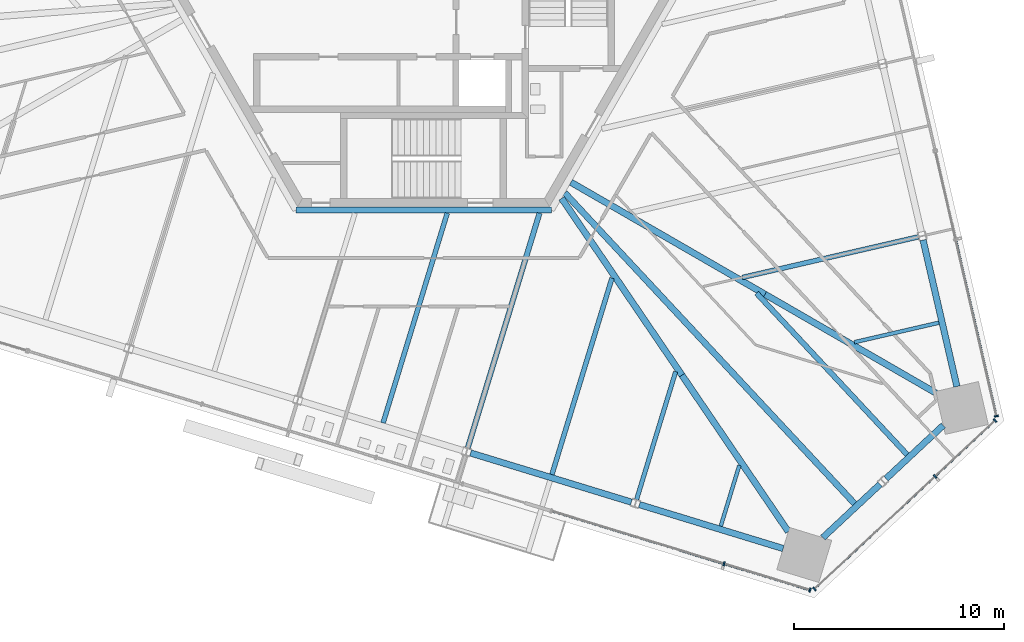
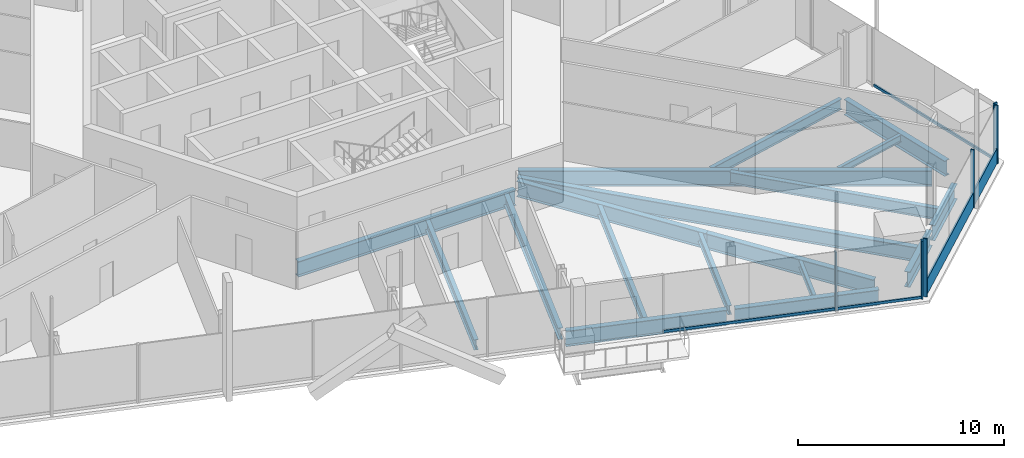
# One storey, part 6 of 24: 19 beams, 11 members, 3 elements without a shape of their own.
"""IFC4 building model written with IfcOpenShell, lengths in metres."""

from ifc_helpers import new_model, si_unit, direction, frame, origin, origin_2d, place, context, subcontext, project, spatial, rectangle, i_section, extrude, source, transform, mapped, material, material_profile, profile_set, type_object, element, aggregate, save


model = new_model("IFC4")

# Units and contexts
model_context = context("Model", 3, precision=1e-05, world=origin(), true_north=direction((0.0, 1.0)))
body_context = subcontext(model_context, "Body", "Model", "MODEL_VIEW")
ifc_project = project(units=[si_unit("LENGTHUNIT", "METRE"), si_unit("AREAUNIT", "SQUARE_METRE"), si_unit("VOLUMEUNIT", "CUBIC_METRE"), si_unit("PLANEANGLEUNIT", "RADIAN"), si_unit("MASSUNIT", "GRAM", prefix="KILO")], contexts=[model_context])

# Site, building, storey
site_placement = place(None, origin())
site = spatial("IfcSite", under=ifc_project, at=site_placement, CompositionType="ELEMENT")
building_placement = place(site_placement, origin())
building = spatial("IfcBuilding", under=site, at=building_placement, Name="Triune Harvest Tower", CompositionType="ELEMENT")
storey_placement = place(building_placement, frame((0.0, 0.0, 112.699951171875)))
storey = spatial("IfcBuildingStorey", under=building, at=storey_placement, Name="L28", CompositionType="ELEMENT", Elevation=112.699951171875)

# Beams
ifc_material_1 = material(Name="Steel ASTM A992 Gr 50", Category="steel")
ifc_material_profile_1 = material_profile(ifc_material_1, i_section(OverallWidth=0.3046875, OverallDepth=0.914306640625, WebThickness=0.0166015625, FlangeThickness=0.02587890625, at=origin_2d()), Name="W36x160")
ifc_profile_set_1 = profile_set([ifc_material_profile_1], Name="Steel ASTM A992 Gr 50")
beam_type_1 = type_object("IfcBeamType", Name="CG-1 Core ring girder W36x160", PredefinedType="BEAM", material=ifc_profile_set_1)
shared_shape_1 = source(origin(), body_context, "Body", "SweptSolid", [
    extrude(i_section(OverallWidth=0.3046875, OverallDepth=0.914306640625, WebThickness=0.0166015625, FlangeThickness=0.02587890625, at=origin_2d()), origin(), (0.0, 0.0, 1.0), 12.17578125),
])
beam_1_placement = place(storey_placement, frame((-6.087890625, -10.544677734375, -0.6171875), z_axis=(1.0, 0.0, 0.0), x_axis=(0.0, 1.0, 0.0)))
element("IfcBeam", 1, at=beam_1_placement, inside=storey, type_object=beam_type_1, Name="beam/L28/CG5", PredefinedType="BEAM", context=body_context, shape_type="MappedRepresentation", body=[
    mapped(shared_shape_1, transform((0.0, 0.0, 0.0), scale=1.0)),
])
ifc_material_2 = material(Name="Steel ASTM A992 Gr 50", Category="steel")
ifc_material_profile_2 = material_profile(ifc_material_2, i_section(OverallWidth=0.307373046875, OverallDepth=0.922119140625, WebThickness=0.018310546875, FlangeThickness=0.030029296875, at=origin_2d()), Name="W36x182")
ifc_profile_set_2 = profile_set([ifc_material_profile_2], Name="Steel ASTM A992 Gr 50")
beam_type_2 = type_object("IfcBeamType", Name="HG-2 Hip girder W36x182", PredefinedType="BEAM", material=ifc_profile_set_2)
shared_shape_2 = source(origin(), body_context, "Body", "SweptSolid", [
    extrude(i_section(OverallWidth=0.307373046875, OverallDepth=0.922119140625, WebThickness=0.018310546875, FlangeThickness=0.030029296875, at=origin_2d()), origin(), (0.0, 0.0, 1.0), 10.681640625),
])
beam_2_placement = place(storey_placement, frame((16.27587890625, -14.56640625, -0.620849609375), z_axis=(-0.866023441189, 0.500003399299, 0.0), x_axis=(-0.500003399299, -0.866023441189, 0.0)))
element("IfcBeam", 2, at=beam_2_placement, inside=storey, type_object=beam_type_2, Name="beam/L28/HG2", PredefinedType="BEAM", context=body_context, shape_type="MappedRepresentation", body=[
    mapped(shared_shape_2, transform((0.0, 0.0, 0.0), scale=1.0)),
])
shared_shape_3 = source(origin(), body_context, "Body", "SweptSolid", [
    extrude(i_section(OverallWidth=0.307373046875, OverallDepth=0.922119140625, WebThickness=0.018310546875, FlangeThickness=0.030029296875, at=origin_2d()), origin(), (0.0, 0.0, 1.0), 10.194091796875),
])
beam_3_placement = place(storey_placement, frame((12.31640625, -18.4208984375, -0.620849609375), z_axis=(-0.562397141719, 0.826867253545, 0.0), x_axis=(-0.826867253545, -0.562397141719, 0.0)))
element("IfcBeam", 3, at=beam_3_placement, inside=storey, type_object=beam_type_2, Name="beam/L28/HG8", PredefinedType="BEAM", context=body_context, shape_type="MappedRepresentation", body=[
    mapped(shared_shape_3, transform((0.0, 0.0, 0.0), scale=1.0)),
])
ifc_material_3 = material(Name="Steel ASTM A992 Gr 50", Category="steel")
ifc_material_profile_3 = material_profile(ifc_material_3, i_section(OverallWidth=0.3046875, OverallDepth=0.914306640625, WebThickness=0.0166015625, FlangeThickness=0.02587890625, at=origin_2d()), Name="W36x160")
ifc_profile_set_3 = profile_set([ifc_material_profile_3], Name="Steel ASTM A992 Gr 50")
beam_type_3 = type_object("IfcBeamType", Name="SB-1 Spandrel beam W36x160", PredefinedType="SPANDREL", material=ifc_profile_set_3)
shared_shape_4 = source(origin(), body_context, "Body", "SweptSolid", [
    extrude(i_section(OverallWidth=0.3046875, OverallDepth=0.914306640625, WebThickness=0.0166015625, FlangeThickness=0.02587890625, at=origin_2d()), origin(), (0.0, 0.0, 1.0), 7.166259765625),
])
beam_4_placement = place(storey_placement, frame((25.42236328125, -18.96044921875, -0.6171875), z_axis=(-0.224949077026, 0.974370521283, 0.0), x_axis=(-0.974370521283, -0.224949077026, 0.0)))
element("IfcBeam", 4, at=beam_4_placement, inside=storey, type_object=beam_type_3, Name="beam/L28/SB1", PredefinedType="SPANDREL", context=body_context, shape_type="MappedRepresentation", body=[
    mapped(shared_shape_4, transform((0.0, 0.0, 0.0), scale=1.0)),
])
shared_shape_5 = source(origin(), body_context, "Body", "SweptSolid", [
    extrude(i_section(OverallWidth=0.3046875, OverallDepth=0.914306640625, WebThickness=0.0166015625, FlangeThickness=0.02587890625, at=origin_2d()), origin(), (0.0, 0.0, 1.0), 8.01806640625),
])
beam_5_placement = place(storey_placement, frame((2.240966796875, -22.127685546875, -0.6171875), z_axis=(0.956305466934, -0.292369379231, 0.0), x_axis=(0.292369379231, 0.956305466934, 0.0)))
element("IfcBeam", 5, at=beam_5_placement, inside=storey, type_object=beam_type_3, Name="beam/L28/SB21", PredefinedType="SPANDREL", context=body_context, shape_type="MappedRepresentation", body=[
    mapped(shared_shape_5, transform((0.0, 0.0, 0.0), scale=1.0)),
])
shared_shape_6 = source(origin(), body_context, "Body", "SweptSolid", [
    extrude(i_section(OverallWidth=0.3046875, OverallDepth=0.914306640625, WebThickness=0.0166015625, FlangeThickness=0.02587890625, at=origin_2d()), origin(), (0.0, 0.0, 1.0), 7.16650390625),
])
beam_6_placement = place(storey_placement, frame((10.287841796875, -24.587646484375, -0.6171875), z_axis=(0.956296811344, -0.292397689137, 0.0), x_axis=(0.292397689137, 0.956296811344, 0.0)))
element("IfcBeam", 6, at=beam_6_placement, inside=storey, type_object=beam_type_3, Name="beam/L28/SB22", PredefinedType="SPANDREL", context=body_context, shape_type="MappedRepresentation", body=[
    mapped(shared_shape_6, transform((0.0, 0.0, 0.0), scale=1.0)),
])
shared_shape_7 = source(origin(), body_context, "Body", "SweptSolid", [
    extrude(i_section(OverallWidth=0.3046875, OverallDepth=0.914306640625, WebThickness=0.0166015625, FlangeThickness=0.02587890625, at=origin_2d()), origin(), (0.0, 0.0, 1.0), 3.72607421875),
])
beam_7_placement = place(storey_placement, frame((19.03173828125, -26.1630859375, -0.6171875), z_axis=(0.731344988612, 0.682007703499, 0.0), x_axis=(-0.682007703499, 0.731344988612, 0.0)))
element("IfcBeam", 7, at=beam_7_placement, inside=storey, type_object=beam_type_3, Name="beam/L28/SB23", PredefinedType="SPANDREL", context=body_context, shape_type="MappedRepresentation", body=[
    mapped(shared_shape_7, transform((0.0, 0.0, 0.0), scale=1.0)),
])
shared_shape_8 = source(origin(), body_context, "Body", "SweptSolid", [
    extrude(i_section(OverallWidth=0.3046875, OverallDepth=0.914306640625, WebThickness=0.0166015625, FlangeThickness=0.02587890625, at=origin_2d()), origin(), (0.0, 0.0, 1.0), 3.726318359375),
])
beam_8_placement = place(storey_placement, frame((22.046630859375, -23.351806640625, -0.6171875), z_axis=(0.731375462482, 0.681975023647, 0.0), x_axis=(-0.681975023647, 0.731375462482, 0.0)))
element("IfcBeam", 8, at=beam_8_placement, inside=storey, type_object=beam_type_3, Name="beam/L28/SB24", PredefinedType="SPANDREL", context=body_context, shape_type="MappedRepresentation", body=[
    mapped(shared_shape_8, transform((0.0, 0.0, 0.0), scale=1.0)),
])
shared_shape_9 = source(origin(), body_context, "Body", "SweptSolid", [
    extrude(i_section(OverallWidth=0.307373046875, OverallDepth=0.922119140625, WebThickness=0.018310546875, FlangeThickness=0.030029296875, at=origin_2d()), origin(), (0.0, 0.0, 1.0), 9.3984375),
])
beam_9_placement = place(storey_placement, frame((24.415283203125, -19.265625, -0.620849609375), z_axis=(-0.866028560268, 0.49999453277, 0.0), x_axis=(-0.49999453277, -0.866028560268, 0.0)))
element("IfcBeam", 9, at=beam_9_placement, inside=storey, type_object=beam_type_2, Name="beam/L28/HG1", PredefinedType="BEAM", context=body_context, shape_type="MappedRepresentation", body=[
    mapped(shared_shape_9, transform((0.0, 0.0, 0.0), scale=1.0)),
])
shared_shape_10 = source(origin(), body_context, "Body", "SweptSolid", [
    extrude(i_section(OverallWidth=0.307373046875, OverallDepth=0.922119140625, WebThickness=0.018310546875, FlangeThickness=0.030029296875, at=origin_2d()), origin(), (0.0, 0.0, 1.0), 9.0166015625),
])
beam_10_placement = place(storey_placement, frame((17.3876953125, -25.876220703125, -0.620849609375), z_axis=(-0.562436658991, 0.826840374331, 0.0), x_axis=(-0.826840374331, -0.562436658991, 0.0)))
element("IfcBeam", 10, at=beam_10_placement, inside=storey, type_object=beam_type_2, Name="beam/L28/HG7", PredefinedType="BEAM", context=body_context, shape_type="MappedRepresentation", body=[
    mapped(shared_shape_10, transform((0.0, 0.0, 0.0), scale=1.0)),
])
ifc_material_4 = material(Name="Steel ASTM A992 Gr 50", Category="steel")
ifc_material_profile_4 = material_profile(ifc_material_4, i_section(OverallWidth=0.180908203125, OverallDepth=0.41650390625, WebThickness=0.010986328125, FlangeThickness=0.01806640625, at=origin_2d()), Name="W16x57")
ifc_profile_set_4 = profile_set([ifc_material_profile_4], Name="Steel ASTM A992 Gr 50")
beam_type_4 = type_object("IfcBeamType", Name="JT-1 Floor joist W16x57", PredefinedType="JOIST", material=ifc_profile_set_4)
shared_shape_11 = source(origin(), body_context, "Body", "SweptSolid", [
    extrude(i_section(OverallWidth=0.180908203125, OverallDepth=0.41650390625, WebThickness=0.010986328125, FlangeThickness=0.01806640625, at=origin_2d()), origin(), (0.0, 0.0, 1.0), 4.1337890625),
])
beam_11_placement = place(storey_placement, frame((24.563720703125, -15.91845703125, -0.3681640625), z_axis=(-0.974368296684, -0.224958712697, 0.0), x_axis=(0.224958712697, -0.974368296684, 0.0)))
element("IfcBeam", 11, at=beam_11_placement, inside=storey, type_object=beam_type_4, Name="beam/L28/JT1", PredefinedType="JOIST", context=body_context, shape_type="MappedRepresentation", body=[
    mapped(shared_shape_11, transform((0.0, 0.0, 0.0), scale=1.0)),
])
ifc_material_5 = material(Name="Steel ASTM A992 Gr 50", Category="steel")
ifc_material_profile_5 = material_profile(ifc_material_5, i_section(OverallWidth=0.22900390625, OverallDepth=0.612060546875, WebThickness=0.011962890625, FlangeThickness=0.01953125, at=origin_2d()), Name="W24x84")
ifc_profile_set_5 = profile_set([ifc_material_profile_5], Name="Steel ASTM A992 Gr 50")
beam_type_5 = type_object("IfcBeamType", Name="JT-3 Floor joist W24x84", PredefinedType="JOIST", material=ifc_profile_set_5)
shared_shape_12 = source(origin(), body_context, "Body", "SweptSolid", [
    extrude(i_section(OverallWidth=0.22900390625, OverallDepth=0.612060546875, WebThickness=0.011962890625, FlangeThickness=0.01953125, at=origin_2d()), origin(), (0.0, 0.0, 1.0), 8.607421875),
])
beam_12_placement = place(storey_placement, frame((23.580078125, -11.82763671875, -0.466064453125), z_axis=(-0.97436872252, -0.224956868255, 0.0), x_axis=(0.224956868255, -0.97436872252, 0.0)))
element("IfcBeam", 12, at=beam_12_placement, inside=storey, type_object=beam_type_5, Name="beam/L28/JT2", PredefinedType="JOIST", context=body_context, shape_type="MappedRepresentation", body=[
    mapped(shared_shape_12, transform((0.0, 0.0, 0.0), scale=1.0)),
])
shared_shape_13 = source(origin(), body_context, "Body", "SweptSolid", [
    extrude(i_section(OverallWidth=0.22900390625, OverallDepth=0.612060546875, WebThickness=0.011962890625, FlangeThickness=0.01953125, at=origin_2d()), origin(), (0.0, 0.0, 1.0), 10.45361328125),
])
beam_13_placement = place(storey_placement, frame((-1.92724609375, -20.69384765625, -0.466064453125), z_axis=(0.29235559587, 0.956309680785, 0.0), x_axis=(-0.956309680785, 0.29235559587, 0.0)))
element("IfcBeam", 13, at=beam_13_placement, inside=storey, type_object=beam_type_5, Name="beam/L28/JT33", PredefinedType="JOIST", context=body_context, shape_type="MappedRepresentation", body=[
    mapped(shared_shape_13, transform((0.0, 0.0, 0.0), scale=1.0)),
])
shared_shape_14 = source(origin(), body_context, "Body", "SweptSolid", [
    extrude(i_section(OverallWidth=0.22900390625, OverallDepth=0.612060546875, WebThickness=0.011962890625, FlangeThickness=0.01953125, at=origin_2d()), origin(), (0.0, 0.0, 1.0), 9.790283203125),
])
beam_14_placement = place(storey_placement, frame((6.119384765625, -23.154052734375, -0.466064453125), z_axis=(0.292383884863, 0.956301032036, 0.0), x_axis=(-0.956301032036, 0.292383884863, 0.0)))
element("IfcBeam", 14, at=beam_14_placement, inside=storey, type_object=beam_type_5, Name="beam/L28/JT35", PredefinedType="JOIST", context=body_context, shape_type="MappedRepresentation", body=[
    mapped(shared_shape_14, transform((0.0, 0.0, 0.0), scale=1.0)),
])
ifc_material_6 = material(Name="Steel ASTM A992 Gr 50", Category="steel")
ifc_material_profile_6 = material_profile(ifc_material_6, i_section(OverallWidth=0.253662109375, OverallDepth=0.683349609375, WebThickness=0.012451171875, FlangeThickness=0.01904296875, at=origin_2d()), Name="W27x94")
ifc_profile_set_6 = profile_set([ifc_material_profile_6], Name="Steel ASTM A992 Gr 50")
beam_type_6 = type_object("IfcBeamType", Name="JT-4 Floor joist W27x94", PredefinedType="JOIST", material=ifc_profile_set_6)
shared_shape_15 = source(origin(), body_context, "Body", "SweptSolid", [
    extrude(i_section(OverallWidth=0.253662109375, OverallDepth=0.683349609375, WebThickness=0.012451171875, FlangeThickness=0.01904296875, at=origin_2d()), origin(), (0.0, 0.0, 1.0), 11.70166015625),
])
beam_15_placement = place(storey_placement, frame((2.107177734375, -21.887451171875, -0.50146484375), z_axis=(0.292381788251, 0.956301673061, 0.0), x_axis=(-0.956301673061, 0.292381788251, 0.0)))
element("IfcBeam", 15, at=beam_15_placement, inside=storey, type_object=beam_type_6, Name="beam/L28/JT34", PredefinedType="JOIST", context=body_context, shape_type="MappedRepresentation", body=[
    mapped(shared_shape_15, transform((0.0, 0.0, 0.0), scale=1.0)),
])
ifc_material_7 = material(Name="Steel ASTM A992 Gr 50", Category="steel")
ifc_material_profile_7 = material_profile(ifc_material_7, i_section(OverallWidth=0.2099609375, OverallDepth=0.535888671875, WebThickness=0.010986328125, FlangeThickness=0.017333984375, at=origin_2d()), Name="W21x68")
ifc_profile_set_7 = profile_set([ifc_material_profile_7], Name="Steel ASTM A992 Gr 50")
beam_type_7 = type_object("IfcBeamType", Name="JT-2 Floor joist W21x68", PredefinedType="JOIST", material=ifc_profile_set_7)
shared_shape_16 = source(origin(), body_context, "Body", "SweptSolid", [
    extrude(i_section(OverallWidth=0.2099609375, OverallDepth=0.535888671875, WebThickness=0.010986328125, FlangeThickness=0.017333984375, at=origin_2d()), origin(), (0.0, 0.0, 1.0), 6.3720703125),
])
beam_16_placement = place(storey_placement, frame((10.154052734375, -24.34765625, -0.427978515625), z_axis=(0.292370379947, 0.956305160986, 0.0), x_axis=(-0.956305160986, 0.292370379947, 0.0)))
element("IfcBeam", 16, at=beam_16_placement, inside=storey, type_object=beam_type_7, Name="beam/L28/JT36", PredefinedType="JOIST", context=body_context, shape_type="MappedRepresentation", body=[
    mapped(shared_shape_16, transform((0.0, 0.0, 0.0), scale=1.0)),
])
ifc_material_8 = material(Name="Steel ASTM A992 Gr 50", Category="steel")
ifc_material_profile_8 = material_profile(ifc_material_8, i_section(OverallWidth=0.2919921875, OverallDepth=0.8583984375, WebThickness=0.01708984375, FlangeThickness=0.031005859375, at=origin_2d()), Name="W33x169")
ifc_profile_set_8 = profile_set([ifc_material_profile_8], Name="Steel ASTM A992 Gr 50")
beam_type_8 = type_object("IfcBeamType", Name="JT-7 Floor joist W33x169", PredefinedType="JOIST", material=ifc_profile_set_8)
shared_shape_17 = source(origin(), body_context, "Body", "SweptSolid", [
    extrude(i_section(OverallWidth=0.2919921875, OverallDepth=0.8583984375, WebThickness=0.01708984375, FlangeThickness=0.031005859375, at=origin_2d()), origin(), (0.0, 0.0, 1.0), 20.25244140625),
])
beam_17_placement = place(storey_placement, frame((20.545654296875, -24.54296875, -0.58935546875), z_axis=(-0.681993474081, 0.73135825784, 0.0), x_axis=(-0.73135825784, -0.681993474081, 0.0)))
element("IfcBeam", 17, at=beam_17_placement, inside=storey, type_object=beam_type_8, Name="beam/L28/JT38", PredefinedType="JOIST", context=body_context, shape_type="MappedRepresentation", body=[
    mapped(shared_shape_17, transform((0.0, 0.0, 0.0), scale=1.0)),
])
shared_shape_18 = source(origin(), body_context, "Body", "SweptSolid", [
    extrude(i_section(OverallWidth=0.253662109375, OverallDepth=0.683349609375, WebThickness=0.012451171875, FlangeThickness=0.01904296875, at=origin_2d()), origin(), (0.0, 0.0, 1.0), 10.52294921875),
])
beam_18_placement = place(storey_placement, frame((23.05029296875, -22.20751953125, -0.50146484375), z_axis=(-0.682013989315, 0.731339126793, 0.0), x_axis=(-0.731339126793, -0.682013989315, 0.0)))
element("IfcBeam", 18, at=beam_18_placement, inside=storey, type_object=beam_type_6, Name="beam/L28/JT39", PredefinedType="JOIST", context=body_context, shape_type="MappedRepresentation", body=[
    mapped(shared_shape_18, transform((0.0, 0.0, 0.0), scale=1.0)),
])
shared_shape_19 = source(origin(), body_context, "Body", "SweptSolid", [
    extrude(i_section(OverallWidth=0.180908203125, OverallDepth=0.41650390625, WebThickness=0.010986328125, FlangeThickness=0.01806640625, at=origin_2d()), origin(), (0.0, 0.0, 1.0), 3.030029296875),
])
beam_19_placement = place(storey_placement, frame((14.166259765625, -25.614013671875, -0.3681640625), z_axis=(0.2923925234, 0.956298390807, 0.0), x_axis=(-0.956298390807, 0.2923925234, 0.0)))
element("IfcBeam", 19, at=beam_19_placement, inside=storey, type_object=beam_type_4, Name="beam/L28/JT37", PredefinedType="JOIST", context=body_context, shape_type="MappedRepresentation", body=[
    mapped(shared_shape_19, transform((0.0, 0.0, 0.0), scale=1.0)),
])

# Curtain wall, members
ifc_material_9 = material(Name="Aluminium bronze anodised", Category="aluminium")
curtain_wall_type_1 = type_object("IfcCurtainWallType", Name="CW-1 Tower stick curtain wall", PredefinedType="NOTDEFINED", material=ifc_material_9)
curtain_wall_1_placement = place(storey_placement, origin())
curtain_wall_1 = element("IfcCurtainWall", 20, at=curtain_wall_1_placement, inside=storey, type_object=curtain_wall_type_1, Name="CW-1 B3-F6 L28 run 1")
ifc_material_10 = material(Name="Aluminium bronze anodised", Category="aluminium")
ifc_material_profile_9 = material_profile(ifc_material_10, rectangle(XDim=0.199951171875, YDim=0.074951171875, at=origin_2d()), Name="MU-1 mullion 75 x 200")
ifc_profile_set_9 = profile_set([ifc_material_profile_9], Name="Aluminium bronze anodised")
member_type_1 = type_object("IfcMemberType", Name="MU-1 mullion 75 x 200", PredefinedType="MULLION", material=ifc_profile_set_9)
shared_shape_20 = source(origin(), body_context, "Body", "SweptSolid", [
    extrude(rectangle(XDim=0.199951171875, YDim=0.074951171875, at=origin_2d()), origin(), (0.0, 0.0, 1.0), 3.43994140625),
])
member_1_placement = place(storey_placement, frame((18.6328125, -28.61181640625, 0.0), z_axis=(0.0, 0.0, 1.0), x_axis=(-0.682002387287, 0.731349946151, 0.0)))
member_1 = element("IfcMember", 21, at=member_1_placement, type_object=member_type_1, Name="CW-1 mullion B3-F6 1.1", PredefinedType="MULLION", context=body_context, shape_type="MappedRepresentation", body=[
    mapped(shared_shape_20, transform((0.0, 0.0, 0.0), scale=1.0)),
])
member_2_placement = place(storey_placement, frame((24.381591796875, -23.2509765625, 0.0), z_axis=(0.0, 0.0, 1.0), x_axis=(-0.682002387287, 0.731349946151, 0.0)))
member_2 = element("IfcMember", 22, at=member_2_placement, type_object=member_type_1, Name="CW-1 mullion B3-F6 1.3", PredefinedType="MULLION", context=body_context, shape_type="MappedRepresentation", body=[
    mapped(shared_shape_20, transform((0.0, 0.0, 0.0), scale=1.0)),
])
member_3_placement = place(storey_placement, frame((27.2421875, -20.583251953125, 0.0), z_axis=(0.0, 0.0, 1.0), x_axis=(-0.682002387287, 0.731349946151, 0.0)))
member_3 = element("IfcMember", 23, at=member_3_placement, type_object=member_type_1, Name="CW-1 mullion B3-F6 1.4", PredefinedType="MULLION", context=body_context, shape_type="MappedRepresentation", body=[
    mapped(shared_shape_20, transform((0.0, 0.0, 0.0), scale=1.0)),
])

# Curtain wall, member
ifc_material_11 = material(Name="Aluminium bronze anodised", Category="aluminium")
curtain_wall_type_2 = type_object("IfcCurtainWallType", Name="CW-6 Balcony window wall", PredefinedType="NOTDEFINED", material=ifc_material_11)
curtain_wall_2_placement = place(storey_placement, origin())
curtain_wall_2 = element("IfcCurtainWall", 24, at=curtain_wall_2_placement, inside=storey, type_object=curtain_wall_type_2, Name="CW-6 B3-F1 L28 run 1")
ifc_material_12 = material(Name="Aluminium bronze anodised", Category="aluminium")
ifc_material_profile_10 = material_profile(ifc_material_12, rectangle(XDim=0.199951171875, YDim=0.074951171875, at=origin_2d()), Name="MU-6 mullion 75 x 200")
ifc_profile_set_10 = profile_set([ifc_material_profile_10], Name="Aluminium bronze anodised")
member_type_2 = type_object("IfcMemberType", Name="MU-6 mullion 75 x 200", PredefinedType="MULLION", material=ifc_profile_set_10)
shared_shape_21 = source(origin(), body_context, "Body", "SweptSolid", [
    extrude(rectangle(XDim=0.199951171875, YDim=0.074951171875, at=origin_2d()), origin(), (0.0, 0.0, 1.0), 3.43994140625),
])
member_4_placement = place(storey_placement, frame((27.306884765625, -20.3720703125, 0.0), z_axis=(0.0, 0.0, 1.0), x_axis=(-0.974370377501, -0.224949699818, 0.0)))
member_4 = element("IfcMember", 25, at=member_4_placement, type_object=member_type_2, Name="CW-6 mullion B3-F1 1.1", PredefinedType="MULLION", context=body_context, shape_type="MappedRepresentation", body=[
    mapped(shared_shape_21, transform((0.0, 0.0, 0.0), scale=1.0)),
])

# Curtain wall, members
curtain_wall_3_placement = place(storey_placement, origin())
curtain_wall_3 = element("IfcCurtainWall", 26, at=curtain_wall_3_placement, inside=storey, type_object=curtain_wall_type_2, Name="CW-6 B3-F5 L28 run 2")
member_5_placement = place(storey_placement, frame((14.319091796875, -27.408447265625, 0.0), z_axis=(0.0, 0.0, 1.0), x_axis=(0.292373426164, 0.956304229664, 0.0)))
member_5 = element("IfcMember", 27, at=member_5_placement, type_object=member_type_2, Name="CW-6 mullion B3-F5 2.3", PredefinedType="MULLION", context=body_context, shape_type="MappedRepresentation", body=[
    mapped(shared_shape_21, transform((0.0, 0.0, 0.0), scale=1.0)),
])
member_6_placement = place(storey_placement, frame((18.417724609375, -28.661376953125, 0.0), z_axis=(0.0, 0.0, 1.0), x_axis=(0.292373426164, 0.956304229664, 0.0)))
member_6 = element("IfcMember", 28, at=member_6_placement, type_object=member_type_2, Name="CW-6 mullion B3-F5 2.4", PredefinedType="MULLION", context=body_context, shape_type="MappedRepresentation", body=[
    mapped(shared_shape_21, transform((0.0, 0.0, 0.0), scale=1.0)),
])

# Member
ifc_material_13 = material(Name="Aluminium bronze anodised", Category="aluminium")
ifc_material_profile_11 = material_profile(ifc_material_13, rectangle(XDim=0.090087890625, YDim=0.89990234375, at=origin_2d()), Name="TR-1 transom 90 x 900")
ifc_profile_set_11 = profile_set([ifc_material_profile_11], Name="Aluminium bronze anodised")
member_type_3 = type_object("IfcMemberType", Name="TR-1 transom 90 x 900", PredefinedType="USERDEFINED", material=ifc_profile_set_11)
shared_shape_22 = source(origin(), body_context, "Body", "SweptSolid", [
    extrude(rectangle(XDim=0.090087890625, YDim=0.89990234375, at=origin_2d()), origin(), (0.0, 0.0, 1.0), 7.78564453125),
])
member_7_placement = place(storey_placement, frame((18.66015625, -28.586181640625, 0.449951171875), z_axis=(0.731354473546, 0.681997532271, 0.0), x_axis=(-0.681997532271, 0.731354473546, 0.0)))
member_7 = element("IfcMember", 29, at=member_7_placement, type_object=member_type_3, Name="CW-1 transom B3-F6 1.1", ObjectType="TRANSOM", PredefinedType="USERDEFINED", context=body_context, shape_type="MappedRepresentation", body=[
    mapped(shared_shape_22, transform((0.0, 0.0, 0.0), scale=1.0)),
])

shared_shape_23 = source(origin(), body_context, "Body", "SweptSolid", [
    extrude(rectangle(XDim=0.090087890625, YDim=0.89990234375, at=origin_2d()), origin(), (0.0, 0.0, 1.0), 3.83642578125),
])
member_8_placement = place(storey_placement, frame((24.408935546875, -23.225341796875, 0.449951171875), z_axis=(0.73136626704, 0.681984885049, 0.0), x_axis=(-0.681984885049, 0.73136626704, 0.0)))
member_8 = element("IfcMember", 30, at=member_8_placement, type_object=member_type_3, Name="CW-1 transom B3-F6 1.2", ObjectType="TRANSOM", PredefinedType="USERDEFINED", context=body_context, shape_type="MappedRepresentation", body=[
    mapped(shared_shape_23, transform((0.0, 0.0, 0.0), scale=1.0)),
])

aggregate(curtain_wall_1, [member_1, member_2, member_3, member_7, member_8])

ifc_material_14 = material(Name="Aluminium bronze anodised", Category="aluminium")
ifc_material_profile_12 = material_profile(ifc_material_14, rectangle(XDim=0.090087890625, YDim=0.14990234375, at=origin_2d()), Name="TR-6 transom 90 x 150")
ifc_profile_set_12 = profile_set([ifc_material_profile_12], Name="Aluminium bronze anodised")
member_type_4 = type_object("IfcMemberType", Name="TR-6 transom 90 x 150", PredefinedType="USERDEFINED", material=ifc_profile_set_12)
shared_shape_24 = source(origin(), body_context, "Body", "SweptSolid", [
    extrude(rectangle(XDim=0.090087890625, YDim=0.14990234375, at=origin_2d()), origin(), (0.0, 0.0, 1.0), 8.571533203125),
])
member_9_placement = place(storey_placement, frame((27.29833984375, -20.33544921875, 0.074951171875), z_axis=(-0.224957275231, 0.974368628559, 0.0), x_axis=(-0.974368628559, -0.224957275231, 0.0)))
member_9 = element("IfcMember", 31, at=member_9_placement, type_object=member_type_4, Name="CW-6 transom B3-F1 1.1", ObjectType="TRANSOM", PredefinedType="USERDEFINED", context=body_context, shape_type="MappedRepresentation", body=[
    mapped(shared_shape_24, transform((0.0, 0.0, 0.0), scale=1.0)),
])

aggregate(curtain_wall_2, [member_4, member_9])

shared_shape_25 = source(origin(), body_context, "Body", "SweptSolid", [
    extrude(rectangle(XDim=0.090087890625, YDim=0.14990234375, at=origin_2d()), origin(), (0.0, 0.0, 1.0), 4.210693359375),
])
member_10_placement = place(storey_placement, frame((14.35498046875, -27.41943359375, 0.074951171875), z_axis=(0.956316457202, -0.292333428957, 0.0), x_axis=(0.292333428957, 0.956316457202, 0.0)))
member_10 = element("IfcMember", 32, at=member_10_placement, type_object=member_type_4, Name="CW-6 transom B3-F5 2.2", ObjectType="TRANSOM", PredefinedType="USERDEFINED", context=body_context, shape_type="MappedRepresentation", body=[
    mapped(shared_shape_25, transform((0.0, 0.0, 0.0), scale=1.0)),
])

shared_shape_26 = source(origin(), body_context, "Body", "SweptSolid", [
    extrude(rectangle(XDim=0.090087890625, YDim=0.14990234375, at=origin_2d()), origin(), (0.0, 0.0, 1.0), 8.534423828125),
])
member_11_placement = place(storey_placement, frame((6.121826171875, -24.902099609375, 0.074951171875), z_axis=(0.956298924559, -0.292390777706, 0.0), x_axis=(0.292390777706, 0.956298924559, 0.0)))
member_11 = element("IfcMember", 33, at=member_11_placement, type_object=member_type_4, Name="CW-6 transom B3-F5 2.1", ObjectType="TRANSOM", PredefinedType="USERDEFINED", context=body_context, shape_type="MappedRepresentation", body=[
    mapped(shared_shape_26, transform((0.0, 0.0, 0.0), scale=1.0)),
])

aggregate(curtain_wall_3, [member_5, member_6, member_11, member_10])

save(model, "model.ifc")
